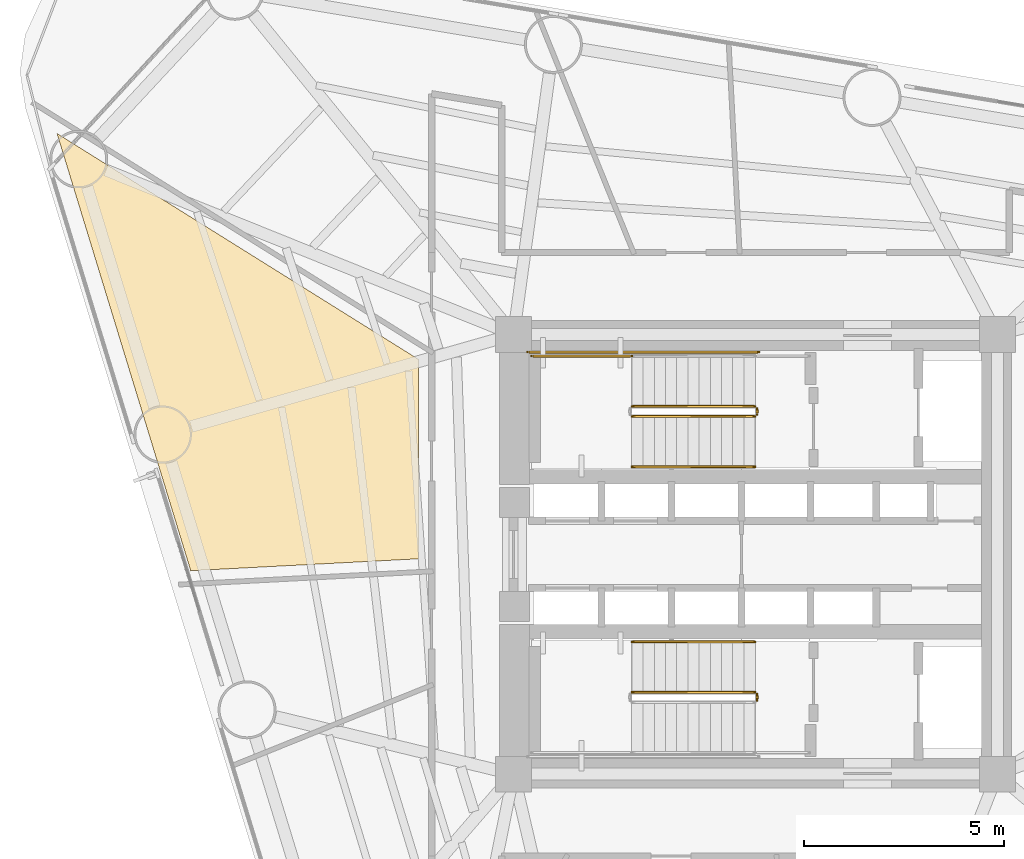
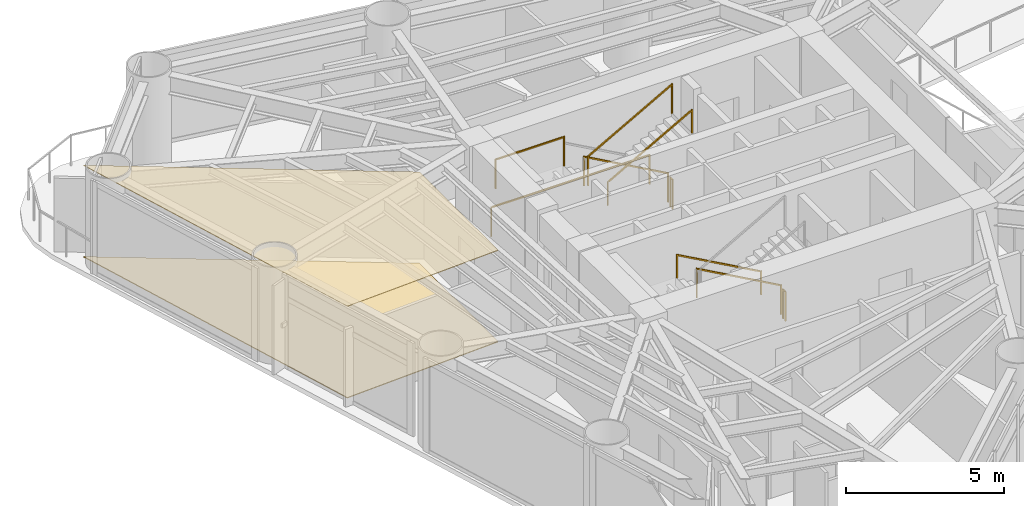
# One storey, part 9 of 10: 9 railings, 2 coverings.
"""IFC4 building model written with IfcOpenShell, lengths in metres."""

from ifc_helpers import new_model, si_unit, direction, frame, origin, origin_2d, place, context, subcontext, project, spatial, polyline, rectangle, outline, extrude, material, layer, layer_set, type_object, element, save


model = new_model("IFC4")

# Units and contexts
model_context = context("Model", 3, precision=1e-05, world=origin(), true_north=direction((0.0, 1.0)))
body_context = subcontext(model_context, "Body", "Model", "MODEL_VIEW")
ifc_project = project(units=[si_unit("LENGTHUNIT", "METRE"), si_unit("AREAUNIT", "SQUARE_METRE"), si_unit("VOLUMEUNIT", "CUBIC_METRE"), si_unit("PLANEANGLEUNIT", "RADIAN"), si_unit("MASSUNIT", "GRAM", prefix="KILO")], contexts=[model_context])

# Site, building, storey
site_placement = place(None, origin())
site = spatial("IfcSite", under=ifc_project, at=site_placement, CompositionType="ELEMENT")
building_placement = place(site_placement, origin())
building = spatial("IfcBuilding", under=site, at=building_placement, Name="Yunling Apex Tower", CompositionType="ELEMENT")
storey_placement = place(building_placement, frame((0.0, 0.0, 101.14990234375)))
storey = spatial("IfcBuildingStorey", under=building, at=storey_placement, Name="L25", CompositionType="ELEMENT", Elevation=101.14990234375)

# Coverings
ifc_material_1 = material(Name="Acoustic mineral fibre ceiling")
ifc_layer_1 = layer(ifc_material_1, 0.02490234375)
ifc_layer_set_1 = layer_set([ifc_layer_1], Name="Acoustic mineral fibre ceiling")
covering_type_1 = type_object("IfcCoveringType", Name="CV-CLG-1", PredefinedType="CEILING", material=ifc_layer_set_1)
covering_1_placement = place(storey_placement, frame((0.0, 0.0, 3.5400390625)))
element("IfcCovering", 1, at=covering_1_placement, inside=storey, type_object=covering_type_1, Name="CV-CL-SP-L25-R12", PredefinedType="CEILING", context=body_context, shape_type="SweptSolid", body=[
    extrude(outline(polyline([(-14.125732421875, -0.409912109375), (-17.469482421875, 10.527099609375), (-8.429931640625, 4.878662109375), (-8.429931640625, -0.111328125), (-14.125732421875, -0.409912109375)])), origin(), (0.0, 0.0, 1.0), 0.025146484375),
])
ifc_material_2 = material(Name="Polished granite stone", Category="masonry")
ifc_layer_2 = layer(ifc_material_2, 0.030029296875)
ifc_layer_set_2 = layer_set([ifc_layer_2], Name="Polished granite stone")
covering_type_2 = type_object("IfcCoveringType", Name="CV-FLR-1", PredefinedType="FLOORING", material=ifc_layer_set_2)
covering_2_placement = place(storey_placement, origin())
element("IfcCovering", 2, at=covering_2_placement, inside=storey, type_object=covering_type_2, Name="CV-FL-SP-L25-R12", PredefinedType="FLOORING", context=body_context, shape_type="SweptSolid", body=[
    extrude(outline(polyline([(-14.125732421875, -0.409912109375), (-17.469482421875, 10.527099609375), (-8.429931640625, 4.878662109375), (-8.429931640625, -0.111328125), (-14.125732421875, -0.409912109375)])), origin(), (0.0, 0.0, 1.0), 0.030029296875),
])

# Railings
ifc_material_3 = material(Name="Steel Q355B", Category="steel")
railing_type_1 = type_object("IfcRailingType", Name="RL-GRD-1150", PredefinedType="GUARDRAIL", material=ifc_material_3)
railing_1_placement = place(storey_placement, frame((-0.010009765625, 3.699951171875, 0.15625)))
element("IfcRailing", 3, at=railing_1_placement, inside=storey, type_object=railing_type_1, Name="L25 ST-1 stair guard 1", PredefinedType="GUARDRAIL", context=body_context, shape_type="SweptSolid", body=[
    extrude(rectangle(XDim=0.0439453125, YDim=0.0439453125, at=origin_2d()), origin(), (0.0, 0.0, 1.0), 1.14990234375),
    extrude(rectangle(XDim=0.0439453125, YDim=0.0439453125, at=origin_2d()), frame((-3.080078125, 0.0, 1.71875)), (0.0, 0.0, 1.0), 1.14990234375),
    extrude(rectangle(XDim=0.050048828125, YDim=0.050048828125, at=origin_2d()), frame((-0.033447265625, 0.0, 1.1435546875), z_axis=(-0.873241540666, 0.0, 0.487287606713), x_axis=(0.0, -1.0, 0.0)), (0.0, 0.0, 1.0), 3.450439453125),
])
railing_2_placement = place(storey_placement, frame((-3.090087890625, 4.9599609375, 1.875)))
element("IfcRailing", 4, at=railing_2_placement, inside=storey, type_object=railing_type_1, Name="L25 ST-1 stair guard 3", PredefinedType="GUARDRAIL", context=body_context, shape_type="SweptSolid", body=[
    extrude(rectangle(XDim=0.0439453125, YDim=0.0439453125, at=origin_2d()), origin(), (0.0, 0.0, 1.0), 1.14990234375),
    extrude(rectangle(XDim=0.0439453125, YDim=0.0439453125, at=origin_2d()), frame((-2.510009765625, 0.0, 0.0)), (0.0, 0.0, 1.0), 1.14990234375),
    extrude(rectangle(XDim=0.050048828125, YDim=0.050048828125, at=origin_2d()), frame((-0.038330078125, 0.0, 1.125), z_axis=(-1.0, 0.0, 0.0), x_axis=(0.0, -1.0, 0.0)), (0.0, 0.0, 1.0), 2.433349609375),
])
railing_3_placement = place(storey_placement, frame((-3.090087890625, 3.449951171875, 2.03125)))
element("IfcRailing", 5, at=railing_3_placement, inside=storey, type_object=railing_type_1, Name="L25 ST-1 stair guard 4", PredefinedType="GUARDRAIL", context=body_context, shape_type="SweptSolid", body=[
    extrude(rectangle(XDim=0.0439453125, YDim=0.0439453125, at=origin_2d()), origin(), (0.0, 0.0, 1.0), 1.14990234375),
    extrude(rectangle(XDim=0.0439453125, YDim=0.0439453125, at=origin_2d()), frame((3.080078125, 0.0, 1.71875)), (0.0, 0.0, 1.0), 1.14990234375),
    extrude(rectangle(XDim=0.050048828125, YDim=0.050048828125, at=origin_2d()), frame((0.033447265625, 0.0, 1.1435546875), z_axis=(0.873241540666, 0.0, 0.487287606713), x_axis=(0.0, 1.0, 0.0)), (0.0, 0.0, 1.0), 3.450439453125),
])
railing_4_placement = place(storey_placement, frame((0.0400390625, 3.64990234375, 0.0)))
element("IfcRailing", 6, at=railing_4_placement, inside=storey, type_object=railing_type_1, Name="L25 ST-1 stair guard 5", PredefinedType="GUARDRAIL", context=body_context, shape_type="SweptSolid", body=[
    extrude(rectangle(XDim=0.0439453125, YDim=0.0439453125, at=origin_2d()), origin(), (0.0, 0.0, 1.0), 1.14990234375),
    extrude(rectangle(XDim=0.0439453125, YDim=0.0439453125, at=origin_2d()), frame((0.0, -0.14990234375, 0.0)), (0.0, 0.0, 1.0), 1.14990234375),
    extrude(rectangle(XDim=0.050048828125, YDim=0.050048828125, at=origin_2d()), frame((0.0, -0.038330078125, 1.125), z_axis=(0.0, -1.0, 0.0), x_axis=(1.0, 0.0, 0.0)), (0.0, 0.0, 1.0), 0.0732421875),
])
railing_5_placement = place(storey_placement, frame((0.090087890625, 5.06005859375, 0.0)))
element("IfcRailing", 7, at=railing_5_placement, inside=storey, type_object=railing_type_1, Name="L25 ST-1 stair guard 7", PredefinedType="GUARDRAIL", context=body_context, shape_type="SweptSolid", body=[
    extrude(rectangle(XDim=0.0439453125, YDim=0.0439453125, at=origin_2d()), origin(), (0.0, 0.0, 1.0), 1.14990234375),
    extrude(rectangle(XDim=0.0439453125, YDim=0.0439453125, at=origin_2d()), frame((-5.7900390625, 0.0, 0.0)), (0.0, 0.0, 1.0), 1.14990234375),
    extrude(rectangle(XDim=0.050048828125, YDim=0.050048828125, at=origin_2d()), frame((-0.038330078125, 0.0, 1.125), z_axis=(-1.0, 0.0, 0.0), x_axis=(0.0, -1.0, 0.0)), (0.0, 0.0, 1.0), 5.71337890625),
])
railing_6_placement = place(storey_placement, frame((-0.010009765625, -3.449951171875, 0.15625)))
element("IfcRailing", 8, at=railing_6_placement, inside=storey, type_object=railing_type_1, Name="L25 ST-2 stair guard 1", PredefinedType="GUARDRAIL", context=body_context, shape_type="SweptSolid", body=[
    extrude(rectangle(XDim=0.0439453125, YDim=0.0439453125, at=origin_2d()), origin(), (0.0, 0.0, 1.0), 1.14990234375),
    extrude(rectangle(XDim=0.0439453125, YDim=0.0439453125, at=origin_2d()), frame((-3.080078125, 0.0, 1.71875)), (0.0, 0.0, 1.0), 1.14990234375),
    extrude(rectangle(XDim=0.050048828125, YDim=0.050048828125, at=origin_2d()), frame((-0.033447265625, 0.0, 1.1435546875), z_axis=(-0.873241540666, 0.0, 0.487287606713), x_axis=(0.0, -1.0, 0.0)), (0.0, 0.0, 1.0), 3.450439453125),
])
railing_7_placement = place(storey_placement, frame((0.0400390625, -3.5, 0.0)))
element("IfcRailing", 9, at=railing_7_placement, inside=storey, type_object=railing_type_1, Name="L25 ST-2 stair guard 5", PredefinedType="GUARDRAIL", context=body_context, shape_type="SweptSolid", body=[
    extrude(rectangle(XDim=0.0439453125, YDim=0.0439453125, at=origin_2d()), origin(), (0.0, 0.0, 1.0), 1.14990234375),
    extrude(rectangle(XDim=0.0439453125, YDim=0.0439453125, at=origin_2d()), frame((0.0, -0.14990234375, 0.0)), (0.0, 0.0, 1.0), 1.14990234375),
    extrude(rectangle(XDim=0.050048828125, YDim=0.050048828125, at=origin_2d()), frame((0.0, -0.038330078125, 1.125), z_axis=(0.0, -1.0, 0.0), x_axis=(1.0, 0.0, 0.0)), (0.0, 0.0, 1.0), 0.0732421875),
])
ifc_material_4 = material(Name="Silver anodised aluminium", Category="aluminium")
railing_type_2 = type_object("IfcRailingType", Name="RL-HND-900", PredefinedType="HANDRAIL", material=ifc_material_4)
railing_8_placement = place(storey_placement, frame((-3.090087890625, 2.18994140625, 2.03125)))
element("IfcRailing", 10, at=railing_8_placement, inside=storey, type_object=railing_type_2, Name="L25 ST-1 stair handrail 2", PredefinedType="HANDRAIL", context=body_context, shape_type="SweptSolid", body=[
    extrude(rectangle(XDim=0.0439453125, YDim=0.0439453125, at=origin_2d()), origin(), (0.0, 0.0, 1.0), 0.919921875),
    extrude(rectangle(XDim=0.0439453125, YDim=0.0439453125, at=origin_2d()), frame((3.080078125, 0.0, 1.71875)), (0.0, 0.0, 1.0), 0.919921875),
    extrude(rectangle(XDim=0.050048828125, YDim=0.050048828125, at=origin_2d()), frame((0.033447265625, 0.0, 0.91357421875), z_axis=(0.873241540666, 0.0, 0.487287606713), x_axis=(0.0, 1.0, 0.0)), (0.0, 0.0, 1.0), 3.450439453125),
])
railing_9_placement = place(storey_placement, frame((-0.010009765625, -2.18994140625, 0.15625)))
element("IfcRailing", 11, at=railing_9_placement, inside=storey, type_object=railing_type_2, Name="L25 ST-2 stair handrail 1", PredefinedType="HANDRAIL", context=body_context, shape_type="SweptSolid", body=[
    extrude(rectangle(XDim=0.0439453125, YDim=0.0439453125, at=origin_2d()), origin(), (0.0, 0.0, 1.0), 0.919921875),
    extrude(rectangle(XDim=0.0439453125, YDim=0.0439453125, at=origin_2d()), frame((-3.080078125, 0.0, 1.71875)), (0.0, 0.0, 1.0), 0.919921875),
    extrude(rectangle(XDim=0.050048828125, YDim=0.050048828125, at=origin_2d()), frame((-0.033447265625, 0.0, 0.91357421875), z_axis=(-0.873241540666, 0.0, 0.487287606713), x_axis=(0.0, -1.0, 0.0)), (0.0, 0.0, 1.0), 3.450439453125),
])

save(model, "model.ifc")
